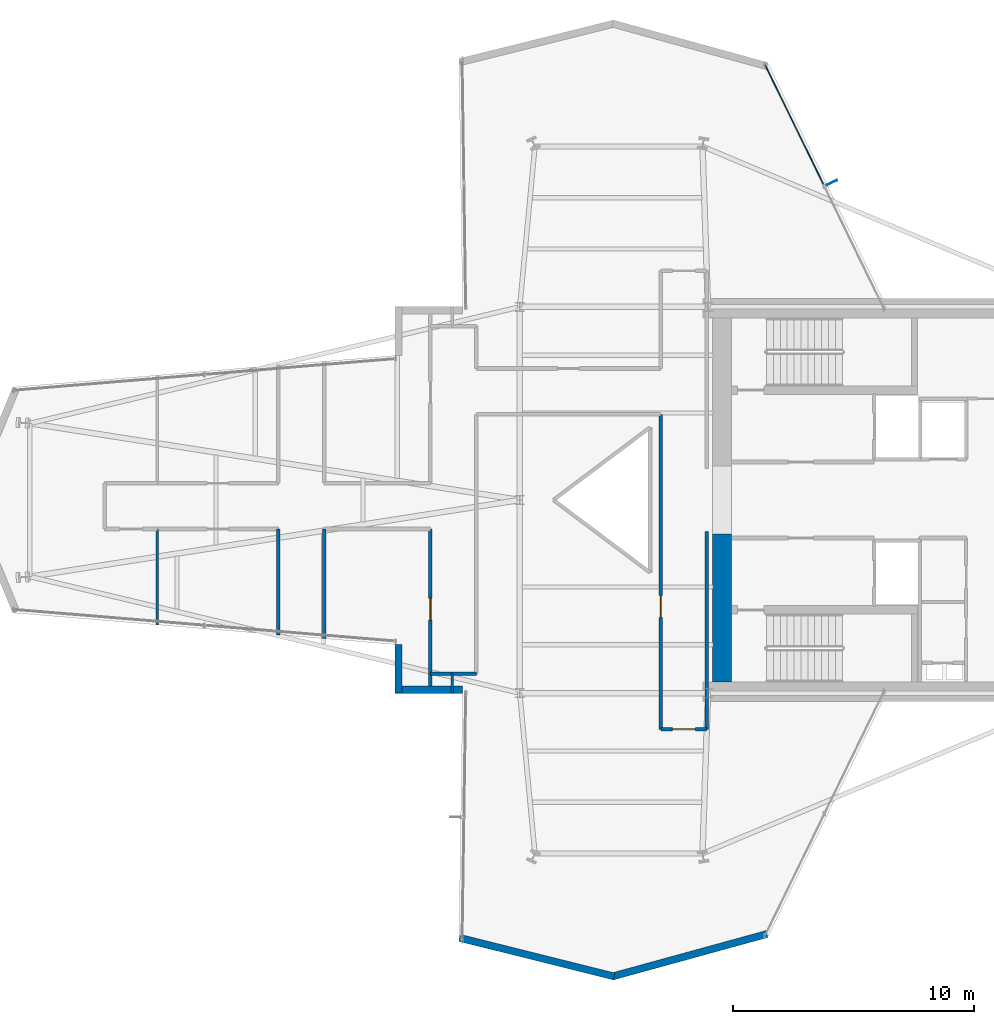
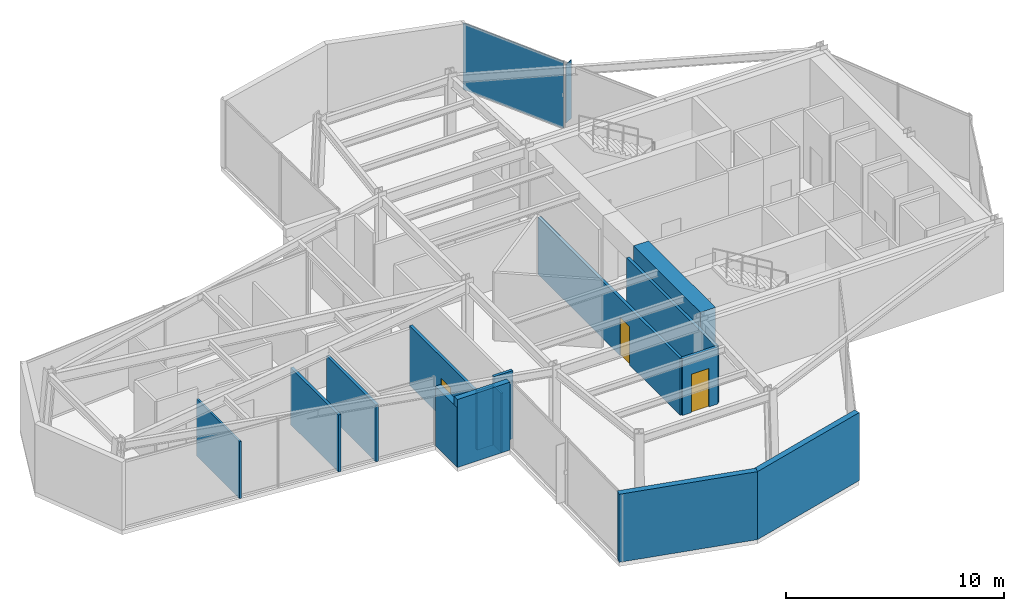
# One storey, part 21 of 24: 15 walls, 3 doors, 2 plates, 3 openings, 1 element without a shape of its own.
"""IFC4 building model written with IfcOpenShell, lengths in metres."""

from ifc_helpers import new_model, si_unit, direction, frame, frame_2d, origin, origin_2d, place, context, subcontext, project, spatial, rectangle, extrude, material, layer, layer_set, type_object, element, fill, aggregate, save


model = new_model("IFC4")

# Units and contexts
model_context = context("Model", 3, precision=1e-05, world=origin(), true_north=direction((0.0, 1.0)))
body_context = subcontext(model_context, "Body", "Model", "MODEL_VIEW")
ifc_project = project(units=[si_unit("LENGTHUNIT", "METRE"), si_unit("AREAUNIT", "SQUARE_METRE"), si_unit("VOLUMEUNIT", "CUBIC_METRE"), si_unit("PLANEANGLEUNIT", "RADIAN"), si_unit("MASSUNIT", "GRAM", prefix="KILO")], contexts=[model_context])

# Site, building, storey
site_placement = place(None, origin())
site = spatial("IfcSite", under=ifc_project, at=site_placement, CompositionType="ELEMENT")
building_placement = place(site_placement, origin())
building = spatial("IfcBuilding", under=site, at=building_placement, Name="Veymaron Broadcast Tower", CompositionType="ELEMENT")
storey_placement = place(building_placement, frame((0.0, 0.0, 124.949951171875)))
storey = spatial("IfcBuildingStorey", under=building, at=storey_placement, Name="L28", CompositionType="ELEMENT", Elevation=124.949951171875)

# Curtain wall, plate
ifc_material_1 = material(Name="Anodised aluminium AA 6063-T6 and laminated low-E dark glass", Category="aluminium")
ifc_layer_1 = layer(ifc_material_1, 0.179931640625)
ifc_layer_set_1 = layer_set([ifc_layer_1], Name="Anodised aluminium AA 6063-T6 and laminated low-E dark glass")
curtain_wall_type = type_object("IfcCurtainWallType", Name="CW-SYS-03", PredefinedType="NOTDEFINED", material=ifc_layer_set_1)
curtain_wall_placement = place(storey_placement, origin())
curtain_wall = element("IfcCurtainWall", 1, at=curtain_wall_placement, inside=storey, type_object=curtain_wall_type, Name="L28 dark-glass curtain wall CW-L28-E5-1", PredefinedType="NOTDEFINED")
ifc_material_2 = material(Name="Insulated dark-anodised aluminium spandrel panel 40 mm", Category="aluminium")
ifc_layer_2 = layer(ifc_material_2, 0.0400390625)
ifc_layer_set_2 = layer_set([ifc_layer_2], Name="Insulated dark-anodised aluminium spandrel panel 40 mm")
plate_type_1 = type_object("IfcPlateType", Name="CW-PNL-03", PredefinedType="CURTAIN_PANEL", material=ifc_layer_set_2)
plate_1_placement = place(storey_placement, frame((42.58837890625, 39.52880859375, 0.0400390625), z_axis=(0.0, 0.0, 1.0), x_axis=(-0.437822022994, 0.899061664282, 0.0)))
plate_1 = element("IfcPlate", 2, at=plate_1_placement, type_object=plate_type_1, Name="CW-L28-E5-1 unitised curtain panel 1", PredefinedType="CURTAIN_PANEL", context=body_context, shape_type="SweptSolid", body=[
    extrude(rectangle(XDim=5.568115234375, YDim=0.0400390625, at=origin_2d()), origin(), (0.0, 0.0, 1.0), 3.72998046875),
])
aggregate(curtain_wall, [plate_1])

# Plate
ifc_material_3 = material(Name="Dark-anodised aluminium AA 6061-T6", Category="aluminium")
ifc_layer_3 = layer(ifc_material_3, 0.034912109375)
ifc_layer_set_3 = layer_set([ifc_layer_3], Name="Dark-anodised aluminium AA 6061-T6")
plate_type_2 = type_object("IfcPlateType", Name="FIN-CHEV-01", PredefinedType="USERDEFINED", material=ifc_layer_set_3)
plate_2_placement = place(storey_placement, frame((44.1396484375, 37.154052734375, 0.2666015625), z_axis=(0.0, 0.0, 1.0), x_axis=(0.899061664282, 0.437822022994, 0.0)))
element("IfcPlate", 3, at=plate_2_placement, inside=storey, type_object=plate_type_2, Name="CW-L28-E5-1 chevron fin 1", ObjectType="FIN", PredefinedType="USERDEFINED", context=body_context, shape_type="SweptSolid", body=[
    extrude(rectangle(XDim=0.449951171875, YDim=0.034912109375, at=origin_2d()), origin(), (0.0, 0.0, 1.0), 3.276611328125),
])

# Walls
ifc_material_4 = material(Name="Precast concrete C40/50 with mineral-wool insulation", Category="concrete")
ifc_layer_4 = layer(ifc_material_4, 0.300048828125)
ifc_layer_set_4 = layer_set([ifc_layer_4], Name="Precast concrete C40/50 with mineral-wool insulation")
wall_type_1 = type_object("IfcWallType", Name="WALL-EXT-300", PredefinedType="STANDARD", material=ifc_layer_set_4)
wall_1_placement = place(storey_placement, frame((26.179931640625, 18.009521484375, 0.0), z_axis=(0.0, 0.0, 1.0), x_axis=(0.0, -1.0, 0.0)))
element("IfcWall", 4, at=wall_1_placement, inside=storey, type_object=wall_type_1, Name="L28 notched corner facade pier 15-1", PredefinedType="STANDARD", context=body_context, shape_type="SweptSolid", body=[
    extrude(rectangle(XDim=2.009521484375, YDim=0.300048828125, at=frame_2d((1.0048828125, 0.0))), origin(), (0.0, 0.0, 1.0), 3.338134765625),
])
wall_2_placement = place(storey_placement, frame((26.0400390625, 16.139892578125, 0.0), z_axis=(0.0, 0.0, 1.0), x_axis=(1.0, 0.0, 0.0)))
element("IfcWall", 5, at=wall_2_placement, inside=storey, type_object=wall_type_1, Name="L28 notched corner facade pier 16-1", PredefinedType="STANDARD", context=body_context, shape_type="SweptSolid", body=[
    extrude(rectangle(XDim=2.788330078125, YDim=0.300048828125, at=frame_2d((1.39404296875, 0.0))), origin(), (0.0, 0.0, 1.0), 3.81005859375),
])
wall_3_placement = place(storey_placement, frame((28.711669921875, 5.855712890625, 0.0), z_axis=(0.0, 0.0, 1.0), x_axis=(0.970168608955, -0.242431165897, 0.0)))
element("IfcWall", 6, at=wall_3_placement, inside=storey, type_object=wall_type_1, Name="L28 notched corner facade pier 18-1", PredefinedType="STANDARD", context=body_context, shape_type="SweptSolid", body=[
    extrude(rectangle(XDim=6.59912109375, YDim=0.300048828125, at=frame_2d((3.299560546875, 0.0))), origin(), (0.0, 0.0, 1.0), 3.81005859375),
])
wall_4_placement = place(storey_placement, frame((35.04296875, 4.2548828125, 0.0), z_axis=(0.0, 0.0, 1.0), x_axis=(0.96422724659, 0.265077001894, 0.0)))
element("IfcWall", 7, at=wall_4_placement, inside=storey, type_object=wall_type_1, Name="L28 notched corner facade pier 19-1", PredefinedType="STANDARD", context=body_context, shape_type="SweptSolid", body=[
    extrude(rectangle(XDim=6.6396484375, YDim=0.300048828125, at=frame_2d((3.31982421875, 0.0))), origin(), (0.0, 0.0, 1.0), 3.81005859375),
])

# Wall, opening, door
ifc_material_5 = material(Name="Gypsum fireboard and steel stud framing", Category="steel")
ifc_layer_5 = layer(ifc_material_5, 0.14990234375)
ifc_layer_set_5 = layer_set([ifc_layer_5], Name="Gypsum fireboard and steel stud framing")
wall_type_2 = type_object("IfcWallType", Name="WALL-FIRE-150", PredefinedType="PARTITIONING", material=ifc_layer_set_5)
wall_5_placement = place(storey_placement, frame((37.050048828125, 14.5, 0.0), z_axis=(0.0, 0.0, 1.0), x_axis=(1.0, 0.0, 0.0)))
wall_5 = element("IfcWall", 8, at=wall_5_placement, inside=storey, type_object=wall_type_2, Name="L28 partition IW-L28-P03", PredefinedType="PARTITIONING", context=body_context, shape_type="SweptSolid", body=[
    extrude(rectangle(XDim=1.89990234375, YDim=0.14990234375, at=frame_2d((0.949951171875, 0.0))), origin(), (0.0, 0.0, 1.0), 3.18994140625),
])
opening_1_placement = place(wall_5_placement, frame((0.47509765625, 0.0, 0.0)))
opening_1 = element("IfcOpeningElement", 9, at=opening_1_placement, cuts=wall_5, Name="Opening ID-RM1", PredefinedType="OPENING", context=body_context, shape_type="SweptSolid", body=[
    extrude(rectangle(XDim=0.949951171875, YDim=2.14990234375, at=frame_2d((0.47509765625, 1.074951171875))), frame((0.0, 0.0849609375, 0.0), z_axis=(0.0, -1.0, 0.0), x_axis=(1.0, 0.0, 0.0)), (0.0, 0.0, 1.0), 0.169921875),
])
ifc_material_6 = material(Name="Acoustic solid-core European oak veneer timber", Category="wood")
door_type_1 = type_object("IfcDoorType", Name="DOOR-INT-950", OperationType="NOTDEFINED", PredefinedType="DOOR", material=ifc_material_6)
door_1_placement = place(opening_1_placement, frame((0.949951171875, 0.0, 0.0), z_axis=(0.0, 0.0, 1.0), x_axis=(-1.0, 0.0, 0.0)))
door_1 = element("IfcDoor", 10, at=door_1_placement, inside=storey, type_object=door_type_1, Name="L28 door DR-L28-P03", OperationType="SINGLE_SWING_RIGHT", OverallHeight=2.14990234375, OverallWidth=0.949951171875, PredefinedType="DOOR", context=body_context, shape_type="SweptSolid", body=[
    extrude(rectangle(XDim=0.949951171875, YDim=2.14990234375, at=frame_2d((0.47509765625, 1.074951171875))), frame((0.0, 0.02490234375, 0.0), z_axis=(0.0, -1.0, 0.0), x_axis=(1.0, 0.0, 0.0)), (0.0, 0.0, 1.0), 0.050048828125),
])
fill(opening_1, door_1)

wall_6_placement = place(storey_placement, frame((37.050048828125, 14.5, 0.0), z_axis=(0.0, 0.0, 1.0), x_axis=(0.0, 1.0, 0.0)))
wall_6 = element("IfcWall", 11, at=wall_6_placement, inside=storey, type_object=wall_type_2, Name="L28 partition IW-L28-P04", PredefinedType="PARTITIONING", context=body_context, shape_type="SweptSolid", body=[
    extrude(rectangle(XDim=13.050048828125, YDim=0.14990234375, at=frame_2d((6.52490234375, 0.0))), origin(), (0.0, 0.0, 1.0), 3.18994140625),
])
opening_2_placement = place(wall_6_placement, frame((4.635009765625, 0.0, 0.0)))
opening_2 = element("IfcOpeningElement", 12, at=opening_2_placement, cuts=wall_6, Name="Opening ID-RM2", PredefinedType="OPENING", context=body_context, shape_type="SweptSolid", body=[
    extrude(rectangle(XDim=0.89990234375, YDim=2.14990234375, at=frame_2d((0.449951171875, 1.074951171875))), frame((0.0, 0.0849609375, 0.0), z_axis=(0.0, -1.0, 0.0), x_axis=(1.0, 0.0, 0.0)), (0.0, 0.0, 1.0), 0.169921875),
])
door_type_2 = type_object("IfcDoorType", Name="DOOR-INT-900", OperationType="NOTDEFINED", PredefinedType="DOOR", material=ifc_material_6)
door_2_placement = place(opening_2_placement, frame((0.89990234375, 0.0, 0.0), z_axis=(0.0, 0.0, 1.0), x_axis=(-1.0, 0.0, 0.0)))
door_2 = element("IfcDoor", 13, at=door_2_placement, inside=storey, type_object=door_type_2, Name="L28 door DR-L28-P04", OperationType="SINGLE_SWING_LEFT", OverallHeight=2.14990234375, OverallWidth=0.89990234375, PredefinedType="DOOR", context=body_context, shape_type="SweptSolid", body=[
    extrude(rectangle(XDim=0.89990234375, YDim=2.14990234375, at=frame_2d((0.449951171875, 1.074951171875))), frame((0.0, 0.02490234375, 0.0), z_axis=(0.0, -1.0, 0.0), x_axis=(1.0, 0.0, 0.0)), (0.0, 0.0, 1.0), 0.050048828125),
])
fill(opening_2, door_2)

wall_7_placement = place(storey_placement, frame((27.5, 16.139892578125, 0.0), z_axis=(0.0, 0.0, 1.0), x_axis=(0.0, 1.0, 0.0)))
wall_7 = element("IfcWall", 14, at=wall_7_placement, inside=storey, type_object=wall_type_2, Name="L28 partition IW-L28-P08", PredefinedType="PARTITIONING", context=body_context, shape_type="SweptSolid", body=[
    extrude(rectangle(XDim=6.66015625, YDim=0.14990234375, at=frame_2d((3.330078125, 0.0))), origin(), (0.0, 0.0, 1.0), 3.338134765625),
])
opening_3_placement = place(wall_7_placement, frame((2.8798828125, 0.0, 0.0)))
opening_3 = element("IfcOpeningElement", 15, at=opening_3_placement, cuts=wall_7, Name="Opening ID-RM2", PredefinedType="OPENING", context=body_context, shape_type="SweptSolid", body=[
    extrude(rectangle(XDim=0.89990234375, YDim=2.14990234375, at=frame_2d((0.449951171875, 1.074951171875))), frame((0.0, 0.0849609375, 0.0), z_axis=(0.0, -1.0, 0.0), x_axis=(1.0, 0.0, 0.0)), (0.0, 0.0, 1.0), 0.169921875),
])
door_3_placement = place(opening_3_placement, origin())
door_3 = element("IfcDoor", 16, at=door_3_placement, inside=storey, type_object=door_type_2, Name="L28 door DR-L28-P08", OperationType="SINGLE_SWING_LEFT", OverallHeight=2.14990234375, OverallWidth=0.89990234375, PredefinedType="DOOR", context=body_context, shape_type="SweptSolid", body=[
    extrude(rectangle(XDim=0.89990234375, YDim=2.14990234375, at=frame_2d((0.449951171875, 1.074951171875))), frame((0.0, 0.02490234375, 0.0), z_axis=(0.0, -1.0, 0.0), x_axis=(1.0, 0.0, 0.0)), (0.0, 0.0, 1.0), 0.050048828125),
])
fill(opening_3, door_3)

# Walls
wall_8_placement = place(storey_placement, frame((38.949951171875, 14.5, 0.0), z_axis=(0.0, 0.0, 1.0), x_axis=(0.0, 1.0, 0.0)))
element("IfcWall", 17, at=wall_8_placement, inside=storey, type_object=wall_type_2, Name="L28 partition IW-L28-P02", PredefinedType="PARTITIONING", context=body_context, shape_type="SweptSolid", body=[
    extrude(rectangle(XDim=8.199951171875, YDim=0.14990234375, at=frame_2d((4.10009765625, 0.0))), origin(), (0.0, 0.0, 1.0), 3.18994140625),
])
wall_9_placement = place(storey_placement, frame((28.404052734375, 16.800048828125, 0.0), z_axis=(0.0, 0.0, 1.0), x_axis=(1.0, 0.0, 0.0)))
element("IfcWall", 18, at=wall_9_placement, inside=storey, type_object=wall_type_2, Name="L28 partition IW-L28-P07", PredefinedType="PARTITIONING", context=body_context, shape_type="SweptSolid", body=[
    extrude(rectangle(XDim=0.995849609375, YDim=0.14990234375, at=frame_2d((0.498046875, 0.0))), origin(), (0.0, 0.0, 1.0), 3.81005859375),
])
wall_10_placement = place(storey_placement, frame((23.10009765625, 18.253173828125, 0.0), z_axis=(0.0, 0.0, 1.0), x_axis=(0.0, 1.0, 0.0)))
element("IfcWall", 19, at=wall_10_placement, inside=storey, type_object=wall_type_2, Name="L28 partition IW-L28-P09", PredefinedType="PARTITIONING", context=body_context, shape_type="SweptSolid", body=[
    extrude(rectangle(XDim=4.546875, YDim=0.14990234375, at=frame_2d((2.2734375, 0.0))), origin(), (0.0, 0.0, 1.0), 3.18994140625),
])
wall_11_placement = place(storey_placement, frame((27.5, 16.800048828125, 0.0), z_axis=(0.0, 0.0, 1.0), x_axis=(1.0, 0.0, 0.0)))
element("IfcWall", 20, at=wall_11_placement, inside=storey, type_object=wall_type_2, Name="L28 partition IW-L28-P11", PredefinedType="PARTITIONING", context=body_context, shape_type="SweptSolid", body=[
    extrude(rectangle(XDim=0.904052734375, YDim=0.14990234375, at=frame_2d((0.4521484375, 0.0))), origin(), (0.0, 0.0, 1.0), 3.338134765625),
])
wall_12_placement = place(storey_placement, frame((21.199951171875, 18.410400390625, 0.0), z_axis=(0.0, 0.0, 1.0), x_axis=(0.0, 1.0, 0.0)))
element("IfcWall", 21, at=wall_12_placement, inside=storey, type_object=wall_type_2, Name="L28 partition IW-L28-P13", PredefinedType="PARTITIONING", context=body_context, shape_type="SweptSolid", body=[
    extrude(rectangle(XDim=4.3896484375, YDim=0.14990234375, at=frame_2d((2.19482421875, 0.0))), origin(), (0.0, 0.0, 1.0), 3.18994140625),
])
ifc_material_7 = material(Name="Acoustic gypsum board and galvanized stud", Category="gypsum")
ifc_layer_6 = layer(ifc_material_7, 0.10009765625)
ifc_layer_set_6 = layer_set([ifc_layer_6], Name="Acoustic gypsum board and galvanized stud")
wall_type_3 = type_object("IfcWallType", Name="WALL-PART-100", PredefinedType="PARTITIONING", material=ifc_layer_set_6)
wall_13_placement = place(storey_placement, frame((28.404052734375, 16.0, 0.0), z_axis=(0.0, 0.0, 1.0), x_axis=(0.0, 1.0, 0.0)))
element("IfcWall", 22, at=wall_13_placement, inside=storey, type_object=wall_type_3, Name="L28 partition IW-L28-P31", PredefinedType="PARTITIONING", context=body_context, shape_type="SweptSolid", body=[
    extrude(rectangle(XDim=0.800048828125, YDim=0.10009765625, at=frame_2d((0.39990234375, 0.0))), origin(), (0.0, 0.0, 1.0), 3.338134765625),
])
wall_14_placement = place(storey_placement, frame((16.18603515625, 18.82568359375, 0.0), z_axis=(0.0, 0.0, 1.0), x_axis=(0.0, 1.0, 0.0)))
element("IfcWall", 23, at=wall_14_placement, inside=storey, type_object=wall_type_3, Name="L28 partition IW-L28-P32", PredefinedType="PARTITIONING", context=body_context, shape_type="SweptSolid", body=[
    extrude(rectangle(XDim=3.974365234375, YDim=0.10009765625, at=frame_2d((1.9873046875, 0.0))), origin(), (0.0, 0.0, 1.0), 3.18994140625),
])
ifc_material_8 = material(Name="Concrete C60/75", Category="concrete")
ifc_layer_7 = layer(ifc_material_8, 0.800048828125)
ifc_layer_set_7 = layer_set([ifc_layer_7], Name="Concrete C60/75")
wall_type_4 = type_object("IfcWallType", Name="WALL-SHEAR-800", PredefinedType="SHEAR", material=ifc_layer_set_7)
wall_15_placement = place(storey_placement, frame((39.580078125, 16.449951171875, 0.0), z_axis=(0.0, 0.0, 1.0), x_axis=(0.0, 1.0, 0.0)))
element("IfcWall", 24, at=wall_15_placement, inside=storey, type_object=wall_type_4, Name="L28 Core Wall west-south shear", PredefinedType="SHEAR", context=body_context, shape_type="SweptSolid", body=[
    extrude(rectangle(XDim=6.150146484375, YDim=0.800048828125, at=frame_2d((3.0751953125, 0.0))), origin(), (0.0, 0.0, 1.0), 3.81005859375),
])

save(model, "model.ifc")
